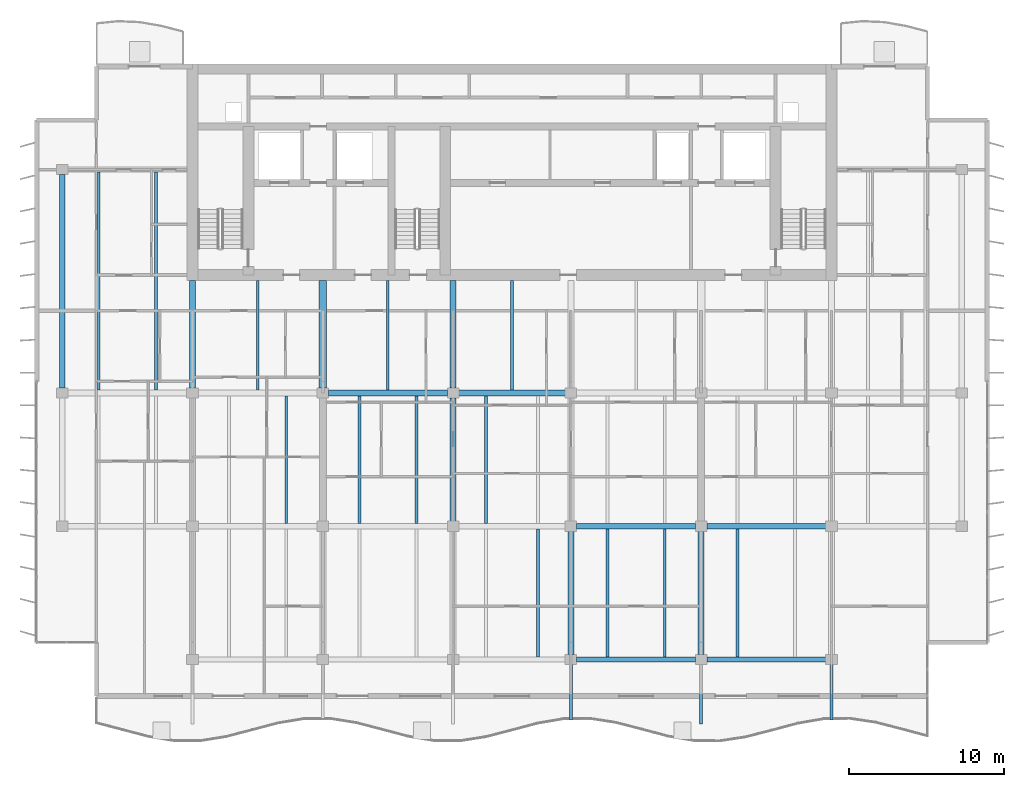
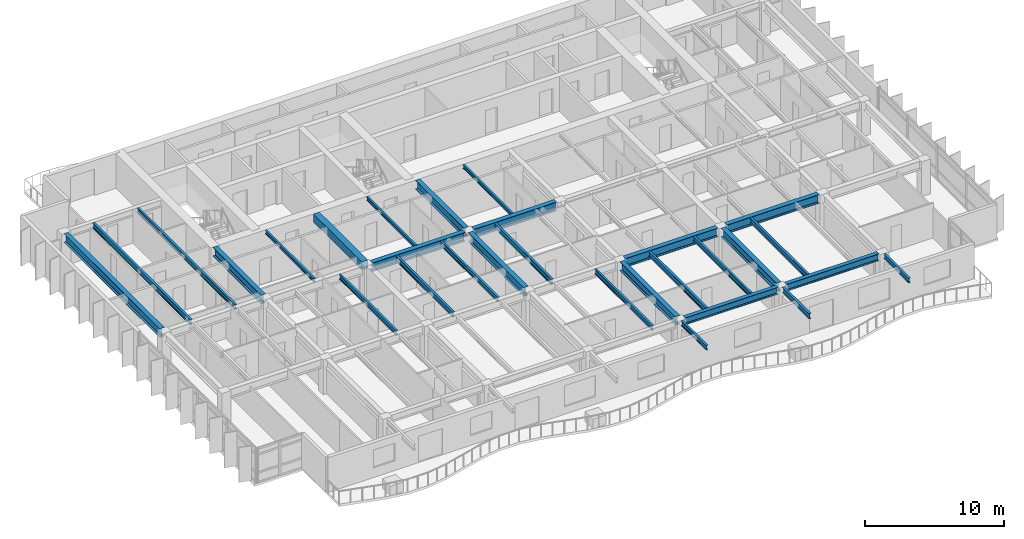
# One storey, part 3 of 16: 29 beams.
"""IFC4 building model written with IfcOpenShell, lengths in metres."""

from ifc_helpers import new_model, si_unit, direction, frame, origin, origin_2d, place, context, subcontext, project, spatial, rectangle, i_section, extrude, material, material_profile, profile_set, type_object, element, save


model = new_model("IFC4")

# Units and contexts
model_context = context("Model", 3, precision=1e-05, world=origin(), true_north=direction((0.0, 1.0)))
body_context = subcontext(model_context, "Body", "Model", "MODEL_VIEW")
ifc_project = project(units=[si_unit("LENGTHUNIT", "METRE"), si_unit("AREAUNIT", "SQUARE_METRE"), si_unit("VOLUMEUNIT", "CUBIC_METRE"), si_unit("PLANEANGLEUNIT", "RADIAN"), si_unit("MASSUNIT", "GRAM", prefix="KILO")], contexts=[model_context])

# Site, building, storey
site_placement = place(None, origin())
site = spatial("IfcSite", under=ifc_project, at=site_placement, CompositionType="ELEMENT")
building_placement = place(site_placement, origin())
building = spatial("IfcBuilding", under=site, at=building_placement, Name="Caelmar Bay Residences", CompositionType="ELEMENT")
storey_placement = place(building_placement, frame((0.0, 0.0, 249.60009765625)))
storey = spatial("IfcBuildingStorey", under=building, at=storey_placement, Name="L70", CompositionType="ELEMENT", Elevation=249.60009765625)

# Beams
ifc_material_1 = material(Name="Steel ASTM A992 Grade 50", Category="steel")
ifc_material_profile_1 = material_profile(ifc_material_1, i_section(OverallWidth=0.177978515625, OverallDepth=0.406005859375, WebThickness=0.0078125, FlangeThickness=0.0126953125, FilletRadius=0.0087890625, at=origin_2d()), Name="W16X40")
ifc_profile_set_1 = profile_set([ifc_material_profile_1], Name="Steel ASTM A992 Grade 50")
beam_type_1 = type_object("IfcBeamType", Name="BM-BAL-W16X40", PredefinedType="JOIST", material=ifc_profile_set_1)
for number, where, z_axis, x_axis, name in (
    (1, (40.572021484375, 12.362548828125, 2.846923828125), (0.0, 1.0, 0.0), (-1.0, 0.0, 0.0), "L70 Composite Floor Joist 6"),
    (2, (48.748046875, 12.362548828125, 2.846923828125), (0.0, 1.0, 0.0), (-1.0, 0.0, 0.0), "L70 Composite Floor Joist 8"),
):
    element("IfcBeam", number, at=place(storey_placement, frame(where, z_axis=z_axis, x_axis=x_axis)), inside=storey, type_object=beam_type_1, Name=name, PredefinedType="JOIST", context=body_context, shape_type="SweptSolid", body=[
        extrude(i_section(OverallWidth=0.177978515625, OverallDepth=0.406005859375, WebThickness=0.0078125, FlangeThickness=0.0126953125, FilletRadius=0.0087890625, at=origin_2d()), origin(), (0.0, 0.0, 1.0), 8.2470703125),
    ])
for number, where, z_axis, x_axis, name in (
    (3, (24.347900390625, 20.990478515625, 2.846923828125), (0.0, 1.0, 0.0), (-1.0, 0.0, 0.0), "L70 Composite Floor Joist 14"),
    (4, (32.748046875, 20.990478515625, 2.846923828125), (0.0, 1.0, 0.0), (-1.0, 0.0, 0.0), "L70 Composite Floor Joist 16"),
):
    element("IfcBeam", number, at=place(storey_placement, frame(where, z_axis=z_axis, x_axis=x_axis)), inside=storey, type_object=beam_type_1, Name=name, PredefinedType="JOIST", context=body_context, shape_type="SweptSolid", body=[
        extrude(i_section(OverallWidth=0.177978515625, OverallDepth=0.406005859375, WebThickness=0.0078125, FlangeThickness=0.0126953125, FilletRadius=0.0087890625, at=origin_2d()), origin(), (0.0, 0.0, 1.0), 8.218994140625),
    ])
beam_1_placement = place(storey_placement, frame((15.947998046875, 29.590576171875, 2.846923828125), z_axis=(0.0, 1.0, 0.0), x_axis=(-1.0, 0.0, 0.0)))
element("IfcBeam", 5, at=beam_1_placement, inside=storey, type_object=beam_type_1, Name="L70 Composite Floor Joist 31", PredefinedType="JOIST", context=body_context, shape_type="SweptSolid", body=[
    extrude(i_section(OverallWidth=0.177978515625, OverallDepth=0.406005859375, WebThickness=0.0078125, FlangeThickness=0.0126953125, FilletRadius=0.0087890625, at=origin_2d()), origin(), (0.0, 0.0, 1.0), 14.046875),
])
for number, where, z_axis, x_axis, name in (
    (6, (42.699951171875, 11.885009765625, 2.846923828125), (0.0, -1.0, 0.0), (1.0, 0.0, 0.0), "L71 South Balcony Cantilever Bracket 4"),
    (7, (59.5, 11.885009765625, 2.846923828125), (0.0, -1.0, 0.0), (1.0, 0.0, 0.0), "L71 South Balcony Cantilever Bracket 6"),
):
    element("IfcBeam", number, at=place(storey_placement, frame(where, z_axis=z_axis, x_axis=x_axis)), inside=storey, type_object=beam_type_1, Name=name, PredefinedType="JOIST", context=body_context, shape_type="SweptSolid", body=[
        extrude(i_section(OverallWidth=0.177978515625, OverallDepth=0.406005859375, WebThickness=0.0078125, FlangeThickness=0.0126953125, FilletRadius=0.0087890625, at=origin_2d()), origin(), (0.0, 0.0, 1.0), 3.586669921875),
    ])
ifc_material_profile_2 = material_profile(ifc_material_1, i_section(OverallWidth=0.193115234375, OverallDepth=0.467041015625, WebThickness=0.011474609375, FlangeThickness=0.01904296875, FilletRadius=0.01025390625, at=origin_2d()), Name="W18X65")
ifc_profile_set_2 = profile_set([ifc_material_profile_2], Name="Steel ASTM A992 Grade 50")
beam_type_2 = type_object("IfcBeamType", Name="BM-BAL-W18X65", PredefinedType="BEAM", material=ifc_profile_set_2)
beam_2_placement = place(storey_placement, frame((51.10009765625, 11.885009765625, 2.81640625), z_axis=(0.0, -1.0, 0.0), x_axis=(1.0, 0.0, 0.0)))
element("IfcBeam", 8, at=beam_2_placement, inside=storey, type_object=beam_type_2, Name="L71 South Balcony Cantilever Bracket 5", PredefinedType="BEAM", context=body_context, shape_type="SweptSolid", body=[
    extrude(i_section(OverallWidth=0.193115234375, OverallDepth=0.467041015625, WebThickness=0.011474609375, FlangeThickness=0.01904296875, FilletRadius=0.01025390625, at=origin_2d()), origin(), (0.0, 0.0, 1.0), 3.85009765625),
])
ifc_material_profile_3 = material_profile(ifc_material_1, i_section(OverallWidth=0.381103515625, OverallDepth=0.77197265625, WebThickness=0.0166015625, FlangeThickness=0.027099609375, FilletRadius=0.0166015625, at=origin_2d()), Name="W30X173")
ifc_profile_set_3 = profile_set([ifc_material_profile_3], Name="Steel ASTM A992 Grade 50")
beam_type_3 = type_object("IfcBeamType", Name="BM-GRD-W30X173", PredefinedType="BEAM", material=ifc_profile_set_3)
beam_3_placement = place(storey_placement, frame((43.06494140625, 20.800048828125, 2.663818359375), z_axis=(1.0, 0.0, 0.0), x_axis=(0.0, 1.0, 0.0)))
element("IfcBeam", 9, at=beam_3_placement, inside=storey, type_object=beam_type_3, Name="L70 East-West Girder Y=20.80 (42.7-51.1)", PredefinedType="BEAM", context=body_context, shape_type="SweptSolid", body=[
    extrude(i_section(OverallWidth=0.381103515625, OverallDepth=0.77197265625, WebThickness=0.0166015625, FlangeThickness=0.027099609375, FilletRadius=0.0166015625, at=origin_2d()), origin(), (0.0, 0.0, 1.0), 7.670166015625),
])
beam_4_placement = place(storey_placement, frame((51.465087890625, 20.800048828125, 2.663818359375), z_axis=(1.0, 0.0, 0.0), x_axis=(0.0, 1.0, 0.0)))
element("IfcBeam", 10, at=beam_4_placement, inside=storey, type_object=beam_type_3, Name="L70 East-West Girder Y=20.80 (51.1-59.5)", PredefinedType="BEAM", context=body_context, shape_type="SweptSolid", body=[
    extrude(i_section(OverallWidth=0.381103515625, OverallDepth=0.77197265625, WebThickness=0.0166015625, FlangeThickness=0.027099609375, FilletRadius=0.0166015625, at=origin_2d()), origin(), (0.0, 0.0, 1.0), 7.669921875),
])
beam_5_placement = place(storey_placement, frame((27.06494140625, 29.39990234375, 2.663818359375), z_axis=(1.0, 0.0, 0.0), x_axis=(0.0, 1.0, 0.0)))
element("IfcBeam", 11, at=beam_5_placement, inside=storey, type_object=beam_type_3, Name="L70 East-West Girder Y=29.40 (26.7-35.1)", PredefinedType="BEAM", context=body_context, shape_type="SweptSolid", body=[
    extrude(i_section(OverallWidth=0.381103515625, OverallDepth=0.77197265625, WebThickness=0.0166015625, FlangeThickness=0.027099609375, FilletRadius=0.0166015625, at=origin_2d()), origin(), (0.0, 0.0, 1.0), 7.670166015625),
])
beam_6_placement = place(storey_placement, frame((35.465087890625, 29.39990234375, 2.663818359375), z_axis=(1.0, 0.0, 0.0), x_axis=(0.0, 1.0, 0.0)))
element("IfcBeam", 12, at=beam_6_placement, inside=storey, type_object=beam_type_3, Name="L70 East-West Girder Y=29.40 (35.1-42.7)", PredefinedType="BEAM", context=body_context, shape_type="SweptSolid", body=[
    extrude(i_section(OverallWidth=0.381103515625, OverallDepth=0.77197265625, WebThickness=0.0166015625, FlangeThickness=0.027099609375, FilletRadius=0.0166015625, at=origin_2d()), origin(), (0.0, 0.0, 1.0), 6.869873046875),
])
beam_7_placement = place(storey_placement, frame((9.89990234375, 29.715087890625, 2.663818359375), z_axis=(0.0, 1.0, 0.0), x_axis=(-1.0, 0.0, 0.0)))
element("IfcBeam", 13, at=beam_7_placement, inside=storey, type_object=beam_type_3, Name="L70 North-South Girder X=9.90 (29.4-43.8)", PredefinedType="BEAM", context=body_context, shape_type="SweptSolid", body=[
    extrude(i_section(OverallWidth=0.381103515625, OverallDepth=0.77197265625, WebThickness=0.0166015625, FlangeThickness=0.027099609375, FilletRadius=0.0166015625, at=origin_2d()), origin(), (0.0, 0.0, 1.0), 13.77001953125),
])
for number, where, z_axis, x_axis, name in (
    (14, (18.300048828125, 29.715087890625, 2.663818359375), (0.0, 1.0, 0.0), (-1.0, 0.0, 0.0), "L70 Core Tie Girder X=18.30"),
    (15, (35.10009765625, 29.715087890625, 2.663818359375), (0.0, 1.0, 0.0), (-1.0, 0.0, 0.0), "L70 Core Tie Girder X=35.10"),
):
    element("IfcBeam", number, at=place(storey_placement, frame(where, z_axis=z_axis, x_axis=x_axis)), inside=storey, type_object=beam_type_3, Name=name, PredefinedType="BEAM", context=body_context, shape_type="SweptSolid", body=[
        extrude(i_section(OverallWidth=0.381103515625, OverallDepth=0.77197265625, WebThickness=0.0166015625, FlangeThickness=0.027099609375, FilletRadius=0.0166015625, at=origin_2d()), origin(), (0.0, 0.0, 1.0), 6.934814453125),
    ])
beam_8_placement = place(storey_placement, frame((35.10009765625, 21.114990234375, 2.663818359375), z_axis=(0.0, 1.0, 0.0), x_axis=(-1.0, 0.0, 0.0)))
element("IfcBeam", 16, at=beam_8_placement, inside=storey, type_object=beam_type_3, Name="L70 North-South Girder X=35.10 (20.8-29.4)", PredefinedType="BEAM", context=body_context, shape_type="SweptSolid", body=[
    extrude(i_section(OverallWidth=0.381103515625, OverallDepth=0.77197265625, WebThickness=0.0166015625, FlangeThickness=0.027099609375, FilletRadius=0.0166015625, at=origin_2d()), origin(), (0.0, 0.0, 1.0), 7.969970703125),
])
for number, where, z_axis, x_axis, name in (
    (17, (42.699951171875, 12.514892578125, 2.663818359375), (0.0, 1.0, 0.0), (-1.0, 0.0, 0.0), "L70 North-South Girder X=42.70 (12.2-20.8)"),
    (18, (51.10009765625, 12.514892578125, 2.663818359375), (0.0, 1.0, 0.0), (-1.0, 0.0, 0.0), "L70 North-South Girder X=51.10 (12.2-20.8)"),
):
    element("IfcBeam", number, at=place(storey_placement, frame(where, z_axis=z_axis, x_axis=x_axis)), inside=storey, type_object=beam_type_3, Name=name, PredefinedType="BEAM", context=body_context, shape_type="SweptSolid", body=[
        extrude(i_section(OverallWidth=0.381103515625, OverallDepth=0.77197265625, WebThickness=0.0166015625, FlangeThickness=0.027099609375, FilletRadius=0.0166015625, at=origin_2d()), origin(), (0.0, 0.0, 1.0), 7.97021484375),
    ])
ifc_material_profile_4 = material_profile(ifc_material_1, i_section(OverallWidth=0.1650390625, OverallDepth=0.31005859375, WebThickness=0.005859375, FlangeThickness=0.009765625, FilletRadius=0.007568359375, at=origin_2d()), Name="W12X26")
ifc_profile_set_4 = profile_set([ifc_material_profile_4], Name="Steel ASTM A992 Grade 50")
beam_type_4 = type_object("IfcBeamType", Name="BM-JST-W12X26", PredefinedType="JOIST", material=ifc_profile_set_4)
for number, where, z_axis, x_axis, name in (
    (19, (22.5, 29.590576171875, 2.89501953125), (0.0, 1.0, 0.0), (-1.0, 0.0, 0.0), "L70 Core-Band Composite Joist 25"),
    (20, (30.89990234375, 29.590576171875, 2.89501953125), (0.0, 1.0, 0.0), (-1.0, 0.0, 0.0), "L70 Core-Band Composite Joist 26"),
    (21, (38.89990234375, 29.590576171875, 2.89501953125), (0.0, 1.0, 0.0), (-1.0, 0.0, 0.0), "L70 Core-Band Composite Joist 27"),
):
    element("IfcBeam", number, at=place(storey_placement, frame(where, z_axis=z_axis, x_axis=x_axis)), inside=storey, type_object=beam_type_4, Name=name, PredefinedType="JOIST", context=body_context, shape_type="SweptSolid", body=[
        extrude(i_section(OverallWidth=0.1650390625, OverallDepth=0.31005859375, WebThickness=0.005859375, FlangeThickness=0.009765625, FilletRadius=0.007568359375, at=origin_2d()), origin(), (0.0, 0.0, 1.0), 7.059326171875),
    ])
ifc_material_profile_5 = material_profile(ifc_material_1, i_section(OverallWidth=0.19091796875, OverallDepth=0.45703125, WebThickness=0.009033203125, FlangeThickness=0.014404296875, FilletRadius=0.01025390625, at=origin_2d()), Name="W18X50")
ifc_profile_set_5 = profile_set([ifc_material_profile_5], Name="Steel ASTM A992 Grade 50")
beam_type_5 = type_object("IfcBeamType", Name="BM-JST-W18X50", PredefinedType="JOIST", material=ifc_profile_set_5)
for number, where, z_axis, x_axis, name in (
    (22, (45.052001953125, 12.362548828125, 2.8212890625), (0.0, 1.0, 0.0), (-1.0, 0.0, 0.0), "L70 Composite Floor Joist 7"),
    (23, (53.451904296875, 12.362548828125, 2.8212890625), (0.0, 1.0, 0.0), (-1.0, 0.0, 0.0), "L70 Composite Floor Joist 9"),
):
    element("IfcBeam", number, at=place(storey_placement, frame(where, z_axis=z_axis, x_axis=x_axis)), inside=storey, type_object=beam_type_5, Name=name, PredefinedType="JOIST", context=body_context, shape_type="SweptSolid", body=[
        extrude(i_section(OverallWidth=0.19091796875, OverallDepth=0.45703125, WebThickness=0.009033203125, FlangeThickness=0.014404296875, FilletRadius=0.01025390625, at=origin_2d()), origin(), (0.0, 0.0, 1.0), 8.2470703125),
    ])
for number, where, z_axis, x_axis, name in (
    (24, (29.052001953125, 20.990478515625, 2.8212890625), (0.0, 1.0, 0.0), (-1.0, 0.0, 0.0), "L70 Composite Floor Joist 15"),
    (25, (37.22802734375, 20.990478515625, 2.8212890625), (0.0, 1.0, 0.0), (-1.0, 0.0, 0.0), "L70 Composite Floor Joist 17"),
):
    element("IfcBeam", number, at=place(storey_placement, frame(where, z_axis=z_axis, x_axis=x_axis)), inside=storey, type_object=beam_type_5, Name=name, PredefinedType="JOIST", context=body_context, shape_type="SweptSolid", body=[
        extrude(i_section(OverallWidth=0.19091796875, OverallDepth=0.45703125, WebThickness=0.009033203125, FlangeThickness=0.014404296875, FilletRadius=0.01025390625, at=origin_2d()), origin(), (0.0, 0.0, 1.0), 8.218994140625),
    ])
beam_9_placement = place(storey_placement, frame((12.251953125, 29.590576171875, 2.8212890625), z_axis=(0.0, 1.0, 0.0), x_axis=(-1.0, 0.0, 0.0)))
element("IfcBeam", 26, at=beam_9_placement, inside=storey, type_object=beam_type_5, Name="L70 Composite Floor Joist 30", PredefinedType="JOIST", context=body_context, shape_type="SweptSolid", body=[
    extrude(i_section(OverallWidth=0.19091796875, OverallDepth=0.45703125, WebThickness=0.009033203125, FlangeThickness=0.014404296875, FilletRadius=0.01025390625, at=origin_2d()), origin(), (0.0, 0.0, 1.0), 14.046875),
])
ifc_material_2 = material(Name="Concrete f'c 55 MPa (8,000 psi)", Category="concrete")
ifc_material_profile_6 = material_profile(ifc_material_2, rectangle(XDim=0.5, YDim=0.699951171875, at=origin_2d()), Name="RC-BM-500X700")
ifc_profile_set_6 = profile_set([ifc_material_profile_6], Name="Concrete f'c 55 MPa (8,000 psi)")
beam_type_6 = type_object("IfcBeamType", Name="BM-RC-500X700", PredefinedType="LINTEL", material=ifc_profile_set_6)
beam_10_placement = place(storey_placement, frame((26.699951171875, 29.715087890625, 2.699951171875), z_axis=(0.0, 1.0, 0.0), x_axis=(-1.0, 0.0, 0.0)))
element("IfcBeam", 27, at=beam_10_placement, inside=storey, type_object=beam_type_6, Name="L70 Shear-Wall Corridor Coupling Lintel W5", PredefinedType="LINTEL", context=body_context, shape_type="SweptSolid", body=[
    extrude(rectangle(XDim=0.5, YDim=0.699951171875, at=origin_2d()), origin(), (0.0, 0.0, 1.0), 6.934814453125),
])
ifc_material_profile_7 = material_profile(ifc_material_1, i_section(OverallWidth=0.324951171875, OverallDepth=0.616943359375, WebThickness=0.013916015625, FlangeThickness=0.021484375, FilletRadius=0.0126953125, at=origin_2d()), Name="W24X117")
ifc_profile_set_7 = profile_set([ifc_material_profile_7], Name="Steel ASTM A992 Grade 50")
beam_type_7 = type_object("IfcBeamType", Name="BM-SPN-W24X117", PredefinedType="SPANDREL", material=ifc_profile_set_7)
beam_11_placement = place(storey_placement, frame((43.06494140625, 12.199951171875, 2.741455078125), z_axis=(1.0, 0.0, 0.0), x_axis=(0.0, 1.0, 0.0)))
element("IfcBeam", 28, at=beam_11_placement, inside=storey, type_object=beam_type_7, Name="L70 East-West Girder Y=12.20 (42.7-51.1)", PredefinedType="SPANDREL", context=body_context, shape_type="SweptSolid", body=[
    extrude(i_section(OverallWidth=0.324951171875, OverallDepth=0.616943359375, WebThickness=0.013916015625, FlangeThickness=0.021484375, FilletRadius=0.0126953125, at=origin_2d()), origin(), (0.0, 0.0, 1.0), 7.670166015625),
])
beam_12_placement = place(storey_placement, frame((51.465087890625, 12.199951171875, 2.741455078125), z_axis=(1.0, 0.0, 0.0), x_axis=(0.0, 1.0, 0.0)))
element("IfcBeam", 29, at=beam_12_placement, inside=storey, type_object=beam_type_7, Name="L70 East-West Girder Y=12.20 (51.1-59.5)", PredefinedType="SPANDREL", context=body_context, shape_type="SweptSolid", body=[
    extrude(i_section(OverallWidth=0.324951171875, OverallDepth=0.616943359375, WebThickness=0.013916015625, FlangeThickness=0.021484375, FilletRadius=0.0126953125, at=origin_2d()), origin(), (0.0, 0.0, 1.0), 7.669921875),
])

save(model, "model.ifc")
